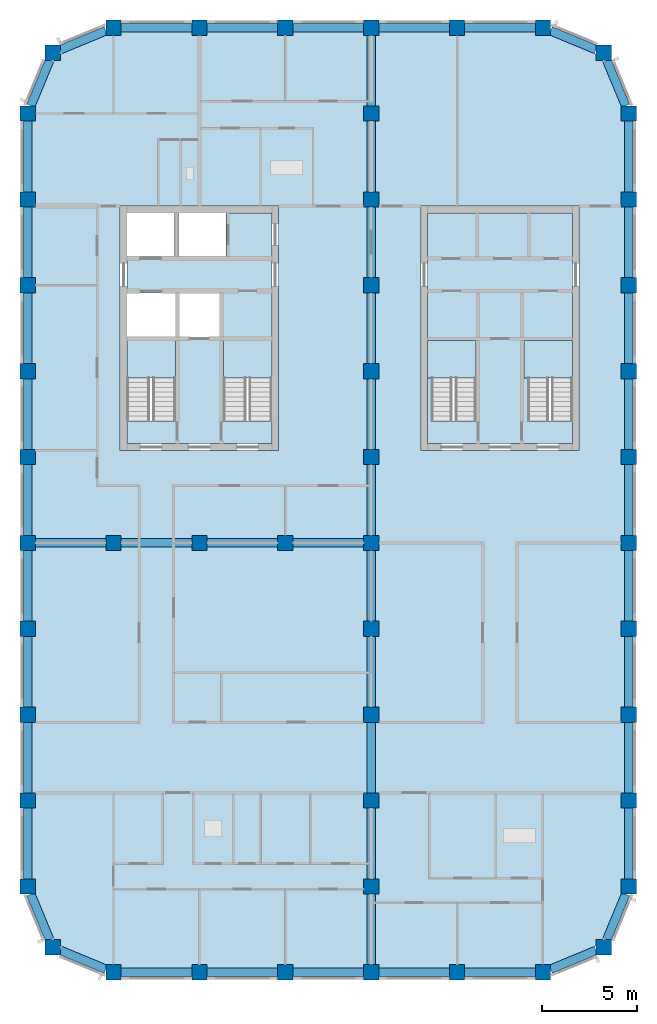
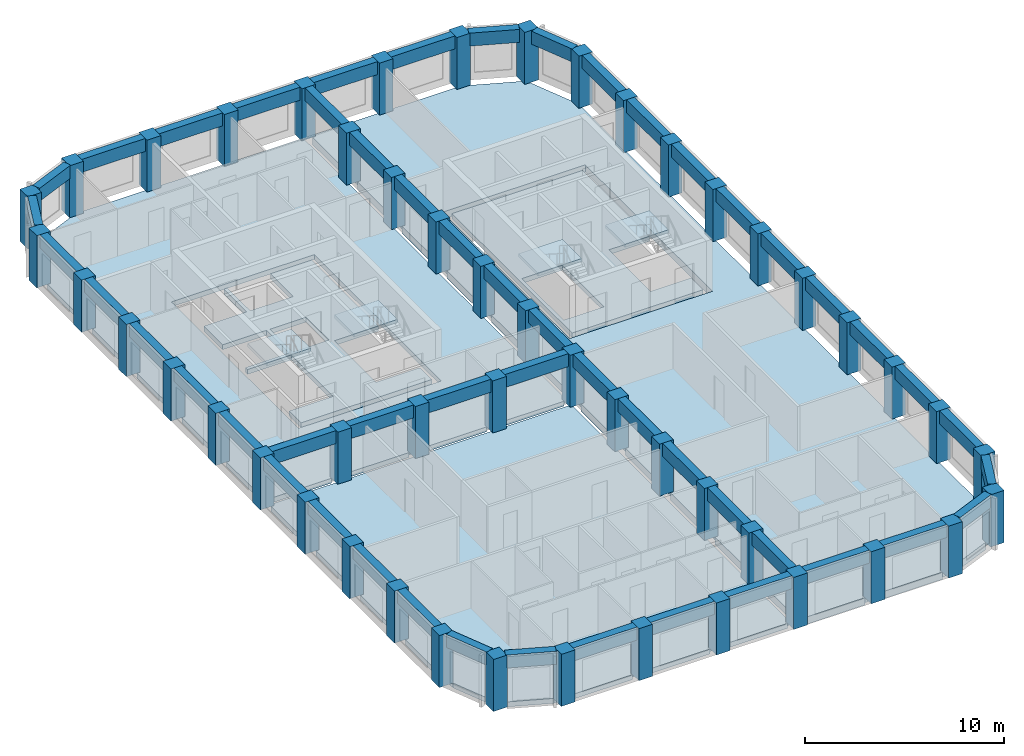
# One storey, part 1 of 10: 51 beams, 49 columns, 9 slabs, 4 elements without a shape of their own.
"""IFC4 building model written with IfcOpenShell, lengths in metres."""

from ifc_helpers import new_model, si_unit, direction, frame, origin, origin_2d, place, context, subcontext, project, spatial, polyline, rectangle, outline, extrude, material, layer, layer_set, material_profile, profile_set, type_object, element, aggregate, save


model = new_model("IFC4")

# Units and contexts
model_context = context("Model", 3, precision=1e-05, world=origin(), true_north=direction((0.0, 1.0)))
body_context = subcontext(model_context, "Body", "Model", "MODEL_VIEW")
ifc_project = project(units=[si_unit("LENGTHUNIT", "METRE"), si_unit("AREAUNIT", "SQUARE_METRE"), si_unit("VOLUMEUNIT", "CUBIC_METRE"), si_unit("PLANEANGLEUNIT", "RADIAN"), si_unit("MASSUNIT", "GRAM", prefix="KILO")], contexts=[model_context])

# Site, building, storey
site_placement = place(None, origin())
site = spatial("IfcSite", under=ifc_project, at=site_placement, CompositionType="ELEMENT")
building_placement = place(site_placement, origin())
building = spatial("IfcBuilding", under=site, at=building_placement, Name="Girih Gate Residences", CompositionType="ELEMENT")
storey_placement = place(building_placement, frame((0.0, 0.0, 195.5)))
storey = spatial("IfcBuildingStorey", under=building, at=storey_placement, Name="L54", CompositionType="ELEMENT", Elevation=195.5)

# Columns
ifc_material_1 = material(Name="Concrete C60/75", Category="concrete")
ifc_material_profile_1 = material_profile(ifc_material_1, rectangle(XDim=0.800048828125, YDim=0.800048828125, at=origin_2d()))
ifc_profile_set_1 = profile_set([ifc_material_profile_1], Name="Concrete C60/75")
column_type = type_object("IfcColumnType", Name="Pier RC 800x800 Concrete C60/75", PredefinedType="COLUMN", material=ifc_profile_set_1)
for number, where, z_axis, x_axis, name in (
    (1, (4.5, 0.0, 0.0), (0.0, 0.0, 1.0), (1.0, 0.0, 0.0), "Pier P2A L54"),
    (2, (9.0, 0.0, 0.0), (0.0, 0.0, 1.0), (1.0, 0.0, 0.0), "Pier P3A L54"),
    (3, (13.5, 0.0, 0.0), (0.0, 0.0, 1.0), (1.0, 0.0, 0.0), "Pier P4A L54"),
    (4, (18.0, 0.0, 0.0), (0.0, 0.0, 1.0), (1.0, 0.0, 0.0), "Pier P5A L54"),
    (5, (22.5, 0.0, 0.0), (0.0, 0.0, 1.0), (1.0, 0.0, 0.0), "Pier P6A L54"),
    (6, (27.0, 0.0, 0.0), (0.0, 0.0, 1.0), (1.0, 0.0, 0.0), "Pier P7A L54"),
    (7, (1.318115234375, 1.318115234375, 0.0), (0.0, 0.0, 1.0), (1.0, 0.0, 0.0), "Pier P1ANE L54"),
    (8, (30.181884765625, 1.318115234375, 0.0), (0.0, 0.0, 1.0), (1.0, 0.0, 0.0), "Pier P8ANW L54"),
    (9, (0.0, 4.5, 0.0), (0.0, 0.0, 1.0), (1.0, 0.0, 0.0), "Pier P1B L54"),
    (10, (18.0, 4.5, 0.0), (0.0, 0.0, 1.0), (1.0, 0.0, 0.0), "Pier P5B L54"),
    (11, (31.5, 4.5, 0.0), (0.0, 0.0, 1.0), (1.0, 0.0, 0.0), "Pier P8B L54"),
    (12, (0.0, 9.0, 0.0), (0.0, 0.0, 1.0), (1.0, 0.0, 0.0), "Pier P1C L54"),
    (13, (18.0, 9.0, 0.0), (0.0, 0.0, 1.0), (1.0, 0.0, 0.0), "Pier P5C L54"),
    (14, (31.5, 9.0, 0.0), (0.0, 0.0, 1.0), (1.0, 0.0, 0.0), "Pier P8C L54"),
    (15, (0.0, 13.5, 0.0), (0.0, 0.0, 1.0), (1.0, 0.0, 0.0), "Pier P1D L54"),
    (16, (18.0, 13.5, 0.0), (0.0, 0.0, 1.0), (1.0, 0.0, 0.0), "Pier P5D L54"),
    (17, (31.5, 13.5, 0.0), (0.0, 0.0, 1.0), (1.0, 0.0, 0.0), "Pier P8D L54"),
    (18, (0.0, 18.0, 0.0), (0.0, 0.0, 1.0), (1.0, 0.0, 0.0), "Pier P1E L54"),
    (19, (18.0, 18.0, 0.0), (0.0, 0.0, 1.0), (1.0, 0.0, 0.0), "Pier P5E L54"),
    (20, (31.5, 18.0, 0.0), (0.0, 0.0, 1.0), (1.0, 0.0, 0.0), "Pier P8E L54"),
    (21, (0.0, 22.5, 0.0), (0.0, 0.0, 1.0), (1.0, 0.0, 0.0), "Pier P1F L54"),
    (22, (4.5, 22.5, 0.0), (0.0, 0.0, 1.0), (1.0, 0.0, 0.0), "Pier P2F L54"),
    (23, (9.0, 22.5, 0.0), (0.0, 0.0, 1.0), (1.0, 0.0, 0.0), "Pier P3F L54"),
    (24, (13.5, 22.5, 0.0), (0.0, 0.0, 1.0), (1.0, 0.0, 0.0), "Pier P4F L54"),
    (25, (18.0, 22.5, 0.0), (0.0, 0.0, 1.0), (1.0, 0.0, 0.0), "Pier P5F L54"),
    (26, (31.5, 22.5, 0.0), (0.0, 0.0, 1.0), (1.0, 0.0, 0.0), "Pier P8F L54"),
    (27, (0.0, 27.0, 0.0), (0.0, 0.0, 1.0), (1.0, 0.0, 0.0), "Pier P1G L54"),
    (28, (18.0, 27.0, 0.0), (0.0, 0.0, 1.0), (1.0, 0.0, 0.0), "Pier P5G L54"),
    (29, (31.5, 27.0, 0.0), (0.0, 0.0, 1.0), (1.0, 0.0, 0.0), "Pier P8G L54"),
    (30, (0.0, 31.5, 0.0), (0.0, 0.0, 1.0), (1.0, 0.0, 0.0), "Pier P1H L54"),
    (31, (18.0, 31.5, 0.0), (0.0, 0.0, 1.0), (1.0, 0.0, 0.0), "Pier P5H L54"),
    (32, (31.5, 31.5, 0.0), (0.0, 0.0, 1.0), (1.0, 0.0, 0.0), "Pier P8H L54"),
    (33, (0.0, 36.0, 0.0), (0.0, 0.0, 1.0), (1.0, 0.0, 0.0), "Pier P1I L54"),
    (34, (18.0, 36.0, 0.0), (0.0, 0.0, 1.0), (1.0, 0.0, 0.0), "Pier P5I L54"),
    (35, (31.5, 36.0, 0.0), (0.0, 0.0, 1.0), (1.0, 0.0, 0.0), "Pier P8I L54"),
    (36, (0.0, 40.5, 0.0), (0.0, 0.0, 1.0), (1.0, 0.0, 0.0), "Pier P1J L54"),
    (37, (18.0, 40.5, 0.0), (0.0, 0.0, 1.0), (1.0, 0.0, 0.0), "Pier P5J L54"),
    (38, (31.5, 40.5, 0.0), (0.0, 0.0, 1.0), (1.0, 0.0, 0.0), "Pier P8J L54"),
    (39, (0.0, 45.0, 0.0), (0.0, 0.0, 1.0), (1.0, 0.0, 0.0), "Pier P1K L54"),
    (40, (18.0, 45.0, 0.0), (0.0, 0.0, 1.0), (1.0, 0.0, 0.0), "Pier P5K L54"),
    (41, (31.5, 45.0, 0.0), (0.0, 0.0, 1.0), (1.0, 0.0, 0.0), "Pier P8K L54"),
    (42, (1.318115234375, 48.181884765625, 0.0), (0.0, 0.0, 1.0), (1.0, 0.0, 0.0), "Pier P1LSE L54"),
    (43, (30.181884765625, 48.181884765625, 0.0), (0.0, 0.0, 1.0), (1.0, 0.0, 0.0), "Pier P8LSW L54"),
    (44, (4.5, 49.5, 0.0), (0.0, 0.0, 1.0), (1.0, 0.0, 0.0), "Pier P2L L54"),
    (45, (9.0, 49.5, 0.0), (0.0, 0.0, 1.0), (1.0, 0.0, 0.0), "Pier P3L L54"),
    (46, (13.5, 49.5, 0.0), (0.0, 0.0, 1.0), (1.0, 0.0, 0.0), "Pier P4L L54"),
    (47, (18.0, 49.5, 0.0), (0.0, 0.0, 1.0), (1.0, 0.0, 0.0), "Pier P5L L54"),
    (48, (22.5, 49.5, 0.0), (0.0, 0.0, 1.0), (1.0, 0.0, 0.0), "Pier P6L L54"),
    (49, (27.0, 49.5, 0.0), (0.0, 0.0, 1.0), (1.0, 0.0, 0.0), "Pier P7L L54"),
):
    element("IfcColumn", number, at=place(storey_placement, frame(where, z_axis=z_axis, x_axis=x_axis)), inside=storey, type_object=column_type, Name=name, PredefinedType="COLUMN", context=body_context, shape_type="SweptSolid", body=[
        extrude(rectangle(XDim=0.800048828125, YDim=0.800048828125, at=origin_2d()), origin(), (0.0, 0.0, 1.0), 3.199951171875),
    ])

# Beams
ifc_material_profile_2 = material_profile(ifc_material_1, rectangle(XDim=0.449951171875, YDim=0.800048828125, at=origin_2d()))
ifc_profile_set_2 = profile_set([ifc_material_profile_2], Name="Concrete C60/75")
beam_type = type_object("IfcBeamType", Name="Spandrel girder RC 450x800 Concrete C60/75", PredefinedType="BEAM", material=ifc_profile_set_2)
for number, where, z_axis, x_axis, name in (
    (50, (27.39990234375, 0.165771484375, 2.800048828125), (0.923895659062, 0.382644497107, 0.0), (-0.382644497107, 0.923895659062, 0.0), "Spandrel girder SP-P7A-P8ANW L54"),
    (51, (30.34765625, 1.718017578125, 2.800048828125), (0.382644497107, 0.923895659062, 0.0), (-0.923895659062, 0.382644497107, 0.0), "Spandrel girder SP-P8ANW-P8B L54"),
):
    element("IfcBeam", number, at=place(storey_placement, frame(where, z_axis=z_axis, x_axis=x_axis)), inside=storey, type_object=beam_type, Name=name, PredefinedType="BEAM", context=body_context, shape_type="SweptSolid", body=[
        extrude(rectangle(XDim=0.449951171875, YDim=0.800048828125, at=origin_2d()), origin(), (0.0, 0.0, 1.0), 2.578369140625),
    ])
for number, where, z_axis, x_axis, name in (
    (52, (31.5, 4.89990234375, 2.800048828125), (0.0, 1.0, 0.0), (-1.0, 0.0, 0.0), "Spandrel girder SP-P8B-P8C L54"),
    (53, (31.5, 9.39990234375, 2.800048828125), (0.0, 1.0, 0.0), (-1.0, 0.0, 0.0), "Spandrel girder SP-P8C-P8D L54"),
    (54, (31.5, 13.89990234375, 2.800048828125), (0.0, 1.0, 0.0), (-1.0, 0.0, 0.0), "Spandrel girder SP-P8D-P8E L54"),
    (55, (31.5, 18.39990234375, 2.800048828125), (0.0, 1.0, 0.0), (-1.0, 0.0, 0.0), "Spandrel girder SP-P8E-P8F L54"),
    (56, (31.5, 22.89990234375, 2.800048828125), (0.0, 1.0, 0.0), (-1.0, 0.0, 0.0), "Spandrel girder SP-P8F-P8G L54"),
    (57, (31.5, 27.39990234375, 2.800048828125), (0.0, 1.0, 0.0), (-1.0, 0.0, 0.0), "Spandrel girder SP-P8G-P8H L54"),
    (58, (31.5, 31.89990234375, 2.800048828125), (0.0, 1.0, 0.0), (-1.0, 0.0, 0.0), "Spandrel girder SP-P8H-P8I L54"),
    (59, (31.5, 36.39990234375, 2.800048828125), (0.0, 1.0, 0.0), (-1.0, 0.0, 0.0), "Spandrel girder SP-P8I-P8J L54"),
    (60, (31.5, 40.89990234375, 2.800048828125), (0.0, 1.0, 0.0), (-1.0, 0.0, 0.0), "Spandrel girder SP-P8J-P8K L54"),
):
    element("IfcBeam", number, at=place(storey_placement, frame(where, z_axis=z_axis, x_axis=x_axis)), inside=storey, type_object=beam_type, Name=name, PredefinedType="BEAM", context=body_context, shape_type="SweptSolid", body=[
        extrude(rectangle(XDim=0.449951171875, YDim=0.800048828125, at=origin_2d()), origin(), (0.0, 0.0, 1.0), 3.7001953125),
    ])
for number, where, z_axis, x_axis, name in (
    (61, (31.334228515625, 45.39990234375, 2.800048828125), (-0.382644497107, 0.923895659062, 0.0), (-0.923895659062, -0.382644497107, 0.0), "Spandrel girder SP-P8K-P8LSW L54"),
    (62, (29.781982421875, 48.34765625, 2.800048828125), (-0.923895659062, 0.382644497107, 0.0), (-0.382644497107, -0.923895659062, 0.0), "Spandrel girder SP-P8LSW-P7L L54"),
):
    element("IfcBeam", number, at=place(storey_placement, frame(where, z_axis=z_axis, x_axis=x_axis)), inside=storey, type_object=beam_type, Name=name, PredefinedType="BEAM", context=body_context, shape_type="SweptSolid", body=[
        extrude(rectangle(XDim=0.449951171875, YDim=0.800048828125, at=origin_2d()), origin(), (0.0, 0.0, 1.0), 2.578369140625),
    ])
for number, where, z_axis, x_axis, name in (
    (63, (26.60009765625, 49.5, 2.800048828125), (-1.0, 0.0, 0.0), (0.0, -1.0, 0.0), "Spandrel girder SP-P7L-P6L L54"),
    (64, (22.10009765625, 49.5, 2.800048828125), (-1.0, 0.0, 0.0), (0.0, -1.0, 0.0), "Spandrel girder SP-P6L-P5L L54"),
    (65, (17.60009765625, 49.5, 2.800048828125), (-1.0, 0.0, 0.0), (0.0, -1.0, 0.0), "Spandrel girder SP-P5L-P4L L54"),
    (66, (13.10009765625, 49.5, 2.800048828125), (-1.0, 0.0, 0.0), (0.0, -1.0, 0.0), "Spandrel girder SP-P4L-P3L L54"),
    (67, (8.60009765625, 49.5, 2.800048828125), (-1.0, 0.0, 0.0), (0.0, -1.0, 0.0), "Spandrel girder SP-P3L-P2L L54"),
):
    element("IfcBeam", number, at=place(storey_placement, frame(where, z_axis=z_axis, x_axis=x_axis)), inside=storey, type_object=beam_type, Name=name, PredefinedType="BEAM", context=body_context, shape_type="SweptSolid", body=[
        extrude(rectangle(XDim=0.449951171875, YDim=0.800048828125, at=origin_2d()), origin(), (0.0, 0.0, 1.0), 3.7001953125),
    ])
for number, where, z_axis, x_axis, name in (
    (68, (4.10009765625, 49.334228515625, 2.800048828125), (-0.923895659062, -0.382644497107, 0.0), (0.382644497107, -0.923895659062, 0.0), "Spandrel girder SP-P2L-P1LSE L54"),
    (69, (1.15234375, 47.781982421875, 2.800048828125), (-0.382644497107, -0.923895659062, 0.0), (0.923895659062, -0.382644497107, 0.0), "Spandrel girder SP-P1LSE-P1K L54"),
):
    element("IfcBeam", number, at=place(storey_placement, frame(where, z_axis=z_axis, x_axis=x_axis)), inside=storey, type_object=beam_type, Name=name, PredefinedType="BEAM", context=body_context, shape_type="SweptSolid", body=[
        extrude(rectangle(XDim=0.449951171875, YDim=0.800048828125, at=origin_2d()), origin(), (0.0, 0.0, 1.0), 2.578369140625),
    ])
for number, where, z_axis, x_axis, name in (
    (70, (0.0, 44.60009765625, 2.800048828125), (0.0, -1.0, 0.0), (1.0, 0.0, 0.0), "Spandrel girder SP-P1K-P1J L54"),
    (71, (0.0, 40.10009765625, 2.800048828125), (0.0, -1.0, 0.0), (1.0, 0.0, 0.0), "Spandrel girder SP-P1J-P1I L54"),
    (72, (0.0, 35.60009765625, 2.800048828125), (0.0, -1.0, 0.0), (1.0, 0.0, 0.0), "Spandrel girder SP-P1I-P1H L54"),
    (73, (0.0, 31.10009765625, 2.800048828125), (0.0, -1.0, 0.0), (1.0, 0.0, 0.0), "Spandrel girder SP-P1H-P1G L54"),
    (74, (0.0, 26.60009765625, 2.800048828125), (0.0, -1.0, 0.0), (1.0, 0.0, 0.0), "Spandrel girder SP-P1G-P1F L54"),
    (75, (0.0, 22.10009765625, 2.800048828125), (0.0, -1.0, 0.0), (1.0, 0.0, 0.0), "Spandrel girder SP-P1F-P1E L54"),
    (76, (0.0, 17.60009765625, 2.800048828125), (0.0, -1.0, 0.0), (1.0, 0.0, 0.0), "Spandrel girder SP-P1E-P1D L54"),
    (77, (0.0, 13.10009765625, 2.800048828125), (0.0, -1.0, 0.0), (1.0, 0.0, 0.0), "Spandrel girder SP-P1D-P1C L54"),
    (78, (0.0, 8.60009765625, 2.800048828125), (0.0, -1.0, 0.0), (1.0, 0.0, 0.0), "Spandrel girder SP-P1C-P1B L54"),
):
    element("IfcBeam", number, at=place(storey_placement, frame(where, z_axis=z_axis, x_axis=x_axis)), inside=storey, type_object=beam_type, Name=name, PredefinedType="BEAM", context=body_context, shape_type="SweptSolid", body=[
        extrude(rectangle(XDim=0.449951171875, YDim=0.800048828125, at=origin_2d()), origin(), (0.0, 0.0, 1.0), 3.7001953125),
    ])
for number, where, z_axis, x_axis, name in (
    (79, (0.165771484375, 4.10009765625, 2.800048828125), (0.382644497107, -0.923895659062, 0.0), (0.923895659062, 0.382644497107, 0.0), "Spandrel girder SP-P1B-P1ANE L54"),
    (80, (1.718017578125, 1.15234375, 2.800048828125), (0.923895659062, -0.382644497107, 0.0), (0.382644497107, 0.923895659062, 0.0), "Spandrel girder SP-P1ANE-P2A L54"),
):
    element("IfcBeam", number, at=place(storey_placement, frame(where, z_axis=z_axis, x_axis=x_axis)), inside=storey, type_object=beam_type, Name=name, PredefinedType="BEAM", context=body_context, shape_type="SweptSolid", body=[
        extrude(rectangle(XDim=0.449951171875, YDim=0.800048828125, at=origin_2d()), origin(), (0.0, 0.0, 1.0), 2.578369140625),
    ])
for number, where, z_axis, x_axis, name in (
    (81, (4.89990234375, 0.0, 2.800048828125), (1.0, 0.0, 0.0), (0.0, 1.0, 0.0), "Spandrel girder SP-P2A-P3A L54"),
    (82, (9.39990234375, 0.0, 2.800048828125), (1.0, 0.0, 0.0), (0.0, 1.0, 0.0), "Spandrel girder SP-P3A-P4A L54"),
    (83, (13.89990234375, 0.0, 2.800048828125), (1.0, 0.0, 0.0), (0.0, 1.0, 0.0), "Spandrel girder SP-P4A-P5A L54"),
    (84, (18.39990234375, 0.0, 2.800048828125), (1.0, 0.0, 0.0), (0.0, 1.0, 0.0), "Spandrel girder SP-P5A-P6A L54"),
    (85, (22.89990234375, 0.0, 2.800048828125), (1.0, 0.0, 0.0), (0.0, 1.0, 0.0), "Spandrel girder SP-P6A-P7A L54"),
    (86, (18.0, 0.39990234375, 2.800048828125), (0.0, 1.0, 0.0), (-1.0, 0.0, 0.0), "Spandrel girder SP-P5A-P5B L54"),
    (87, (18.0, 4.89990234375, 2.800048828125), (0.0, 1.0, 0.0), (-1.0, 0.0, 0.0), "Spandrel girder SP-P5B-P5C L54"),
    (88, (18.0, 9.39990234375, 2.800048828125), (0.0, 1.0, 0.0), (-1.0, 0.0, 0.0), "Spandrel girder SP-P5C-P5D L54"),
    (89, (18.0, 13.89990234375, 2.800048828125), (0.0, 1.0, 0.0), (-1.0, 0.0, 0.0), "Spandrel girder SP-P5D-P5E L54"),
    (90, (18.0, 18.39990234375, 2.800048828125), (0.0, 1.0, 0.0), (-1.0, 0.0, 0.0), "Spandrel girder SP-P5E-P5F L54"),
    (91, (18.0, 22.89990234375, 2.800048828125), (0.0, 1.0, 0.0), (-1.0, 0.0, 0.0), "Spandrel girder SP-P5F-P5G L54"),
    (92, (18.0, 27.39990234375, 2.800048828125), (0.0, 1.0, 0.0), (-1.0, 0.0, 0.0), "Spandrel girder SP-P5G-P5H L54"),
    (93, (18.0, 31.89990234375, 2.800048828125), (0.0, 1.0, 0.0), (-1.0, 0.0, 0.0), "Spandrel girder SP-P5H-P5I L54"),
    (94, (18.0, 36.39990234375, 2.800048828125), (0.0, 1.0, 0.0), (-1.0, 0.0, 0.0), "Spandrel girder SP-P5I-P5J L54"),
    (95, (18.0, 40.89990234375, 2.800048828125), (0.0, 1.0, 0.0), (-1.0, 0.0, 0.0), "Spandrel girder SP-P5J-P5K L54"),
    (96, (18.0, 45.39990234375, 2.800048828125), (0.0, 1.0, 0.0), (-1.0, 0.0, 0.0), "Spandrel girder SP-P5K-P5L L54"),
    (97, (0.39990234375, 22.5, 2.800048828125), (1.0, 0.0, 0.0), (0.0, 1.0, 0.0), "Spandrel girder SP-P1F-P2F L54"),
    (98, (4.89990234375, 22.5, 2.800048828125), (1.0, 0.0, 0.0), (0.0, 1.0, 0.0), "Spandrel girder SP-P2F-P3F L54"),
    (99, (9.39990234375, 22.5, 2.800048828125), (1.0, 0.0, 0.0), (0.0, 1.0, 0.0), "Spandrel girder SP-P3F-P4F L54"),
    (100, (13.89990234375, 22.5, 2.800048828125), (1.0, 0.0, 0.0), (0.0, 1.0, 0.0), "Spandrel girder SP-P4F-P5F L54"),
):
    element("IfcBeam", number, at=place(storey_placement, frame(where, z_axis=z_axis, x_axis=x_axis)), inside=storey, type_object=beam_type, Name=name, PredefinedType="BEAM", context=body_context, shape_type="SweptSolid", body=[
        extrude(rectangle(XDim=0.449951171875, YDim=0.800048828125, at=origin_2d()), origin(), (0.0, 0.0, 1.0), 3.7001953125),
    ])

# Slabs
ifc_material_2 = material(Name="Concrete C40/50", Category="concrete")
ifc_layer_1 = layer(ifc_material_2, 0.300048828125)
ifc_layer_set_1 = layer_set([ifc_layer_1], Name="Core floor slab 300")
slab_type_1 = type_object("IfcSlabType", Name="Core floor slab 300", PredefinedType="FLOOR", material=ifc_layer_set_1)
slab_1_placement = place(storey_placement, frame((0.0, 0.0, -0.300048828125)))
element("IfcSlab", 101, at=slab_1_placement, inside=storey, type_object=slab_type_1, Name="L54 W core floor", PredefinedType="FLOOR", context=body_context, shape_type="SweptSolid", body=[
    extrude(outline(polyline([(12.800048828125, 27.699951171875), (5.199951171875, 27.699951171875), (5.199951171875, 28.900634765625), (7.75, 28.900634765625), (7.75, 33.10009765625), (5.199951171875, 33.10009765625), (5.199951171875, 33.300048828125), (7.75, 33.300048828125), (7.75, 35.60009765625), (5.199951171875, 35.60009765625), (5.199951171875, 37.5), (7.699951171875, 37.5), (7.699951171875, 39.800048828125), (7.89990234375, 39.800048828125), (7.89990234375, 37.5), (10.39990234375, 37.5), (10.39990234375, 39.800048828125), (12.800048828125, 39.800048828125), (12.800048828125, 33.10009765625), (10.25, 33.10009765625), (10.25, 28.900634765625), (12.800048828125, 28.900634765625), (12.800048828125, 27.699951171875)]), holes=[polyline([(7.949951171875, 33.300048828125), (10.050048828125, 33.300048828125), (10.050048828125, 35.60009765625), (7.949951171875, 35.60009765625), (7.949951171875, 33.300048828125)])]), origin(), (0.0, 0.0, 1.0), 0.300048828125),
])
slab_2_placement = place(storey_placement, frame((0.0, 0.0, -0.300048828125)))
element("IfcSlab", 102, at=slab_2_placement, inside=storey, type_object=slab_type_1, Name="L54 C core floor", PredefinedType="FLOOR", context=body_context, shape_type="SweptSolid", body=[
    extrude(outline(polyline([(28.550048828125, 27.699951171875), (20.949951171875, 27.699951171875), (20.949951171875, 39.800048828125), (28.550048828125, 39.800048828125), (28.550048828125, 33.10009765625), (26.199951171875, 33.10009765625), (26.199951171875, 28.900634765625), (28.550048828125, 28.900634765625), (28.550048828125, 27.699951171875)]), holes=[polyline([(23.5, 28.900634765625), (23.5, 33.10009765625), (21.14990234375, 33.10009765625), (21.14990234375, 28.900634765625), (23.5, 28.900634765625)])]), origin(), (0.0, 0.0, 1.0), 0.300048828125),
])
ifc_layer_2 = layer(ifc_material_2, 0.300048828125)
ifc_layer_set_2 = layer_set([ifc_layer_2], Name="Floor slab PT 300 Concrete C40/50")
slab_type_2 = type_object("IfcSlabType", Name="Floor slab PT 300 Concrete C40/50", PredefinedType="FLOOR", material=ifc_layer_set_2)
slab_3_placement = place(storey_placement, frame((0.0, 0.0, -0.300048828125)))
element("IfcSlab", 103, at=slab_3_placement, inside=storey, type_object=slab_type_2, Name="Floor slab L54 0", PredefinedType="FLOOR", context=body_context, shape_type="SweptSolid", body=[
    extrude(outline(polyline([(13.89990234375, 0.22509765625), (17.60009765625, 0.22509765625), (17.60009765625, 0.39990234375), (17.77490234375, 0.39990234375), (17.77490234375, 4.10009765625), (17.60009765625, 4.10009765625), (17.60009765625, 4.89990234375), (17.77490234375, 4.89990234375), (17.77490234375, 8.60009765625), (17.60009765625, 8.60009765625), (17.60009765625, 9.39990234375), (17.77490234375, 9.39990234375), (17.77490234375, 13.10009765625), (17.60009765625, 13.10009765625), (17.60009765625, 13.89990234375), (17.77490234375, 13.89990234375), (17.77490234375, 17.60009765625), (17.60009765625, 17.60009765625), (17.60009765625, 18.39990234375), (17.77490234375, 18.39990234375), (17.77490234375, 22.10009765625), (17.60009765625, 22.10009765625), (17.60009765625, 22.27490234375), (13.89990234375, 22.27490234375), (13.89990234375, 22.10009765625), (13.10009765625, 22.10009765625), (13.10009765625, 22.27490234375), (9.39990234375, 22.27490234375), (9.39990234375, 22.10009765625), (8.60009765625, 22.10009765625), (8.60009765625, 22.27490234375), (4.89990234375, 22.27490234375), (4.89990234375, 22.10009765625), (4.10009765625, 22.10009765625), (4.10009765625, 22.27490234375), (0.39990234375, 22.27490234375), (0.39990234375, 22.10009765625), (0.22509765625, 22.10009765625), (0.22509765625, 18.39990234375), (0.39990234375, 18.39990234375), (0.39990234375, 17.60009765625), (0.22509765625, 17.60009765625), (0.22509765625, 13.89990234375), (0.39990234375, 13.89990234375), (0.39990234375, 13.10009765625), (0.22509765625, 13.10009765625), (0.22509765625, 9.39990234375), (0.39990234375, 9.39990234375), (0.39990234375, 8.60009765625), (0.22509765625, 8.60009765625), (0.22509765625, 4.89990234375), (0.39990234375, 4.89990234375), (0.39990234375, 4.122314453125), (1.395751953125, 1.718017578125), (1.718017578125, 1.718017578125), (1.718017578125, 1.395751953125), (4.122314453125, 0.39990234375), (4.89990234375, 0.39990234375), (4.89990234375, 0.22509765625), (8.60009765625, 0.22509765625), (8.60009765625, 0.39990234375), (9.39990234375, 0.39990234375), (9.39990234375, 0.22509765625), (13.10009765625, 0.22509765625), (13.10009765625, 0.39990234375), (13.89990234375, 0.39990234375), (13.89990234375, 0.22509765625)])), origin(), (0.0, 0.0, 1.0), 0.300048828125),
])
slab_4_placement = place(storey_placement, frame((0.0, 0.0, -0.300048828125)))
element("IfcSlab", 104, at=slab_4_placement, inside=storey, type_object=slab_type_2, Name="Floor slab L54 2", PredefinedType="FLOOR", context=body_context, shape_type="SweptSolid", body=[
    extrude(outline(polyline([(0.22509765625, 26.60009765625), (0.22509765625, 22.89990234375), (0.39990234375, 22.89990234375), (0.39990234375, 22.72509765625), (4.10009765625, 22.72509765625), (4.10009765625, 22.89990234375), (4.89990234375, 22.89990234375), (4.89990234375, 22.72509765625), (8.60009765625, 22.72509765625), (8.60009765625, 22.89990234375), (9.39990234375, 22.89990234375), (9.39990234375, 22.72509765625), (13.10009765625, 22.72509765625), (13.10009765625, 22.89990234375), (13.89990234375, 22.89990234375), (13.89990234375, 22.72509765625), (17.60009765625, 22.72509765625), (17.60009765625, 22.89990234375), (17.77490234375, 22.89990234375), (17.77490234375, 26.60009765625), (17.60009765625, 26.60009765625), (17.60009765625, 27.39990234375), (17.77490234375, 27.39990234375), (17.77490234375, 31.10009765625), (17.60009765625, 31.10009765625), (17.60009765625, 31.89990234375), (17.77490234375, 31.89990234375), (17.77490234375, 35.60009765625), (17.60009765625, 35.60009765625), (17.60009765625, 36.39990234375), (17.77490234375, 36.39990234375), (17.77490234375, 40.10009765625), (17.60009765625, 40.10009765625), (17.60009765625, 40.89990234375), (17.77490234375, 40.89990234375), (17.77490234375, 44.60009765625), (17.60009765625, 44.60009765625), (17.60009765625, 45.39990234375), (17.77490234375, 45.39990234375), (17.77490234375, 49.10009765625), (17.60009765625, 49.10009765625), (17.60009765625, 49.27490234375), (13.89990234375, 49.27490234375), (13.89990234375, 49.10009765625), (13.10009765625, 49.10009765625), (13.10009765625, 49.27490234375), (9.39990234375, 49.27490234375), (9.39990234375, 49.10009765625), (8.60009765625, 49.10009765625), (8.60009765625, 49.27490234375), (4.89990234375, 49.27490234375), (4.89990234375, 49.10009765625), (4.122314453125, 49.10009765625), (1.718017578125, 48.104248046875), (1.718017578125, 47.781982421875), (1.395751953125, 47.781982421875), (0.39990234375, 45.377685546875), (0.39990234375, 44.60009765625), (0.22509765625, 44.60009765625), (0.22509765625, 40.89990234375), (0.39990234375, 40.89990234375), (0.39990234375, 40.10009765625), (0.22509765625, 40.10009765625), (0.22509765625, 36.39990234375), (0.39990234375, 36.39990234375), (0.39990234375, 35.60009765625), (0.22509765625, 35.60009765625), (0.22509765625, 31.89990234375), (0.39990234375, 31.89990234375), (0.39990234375, 31.10009765625), (0.22509765625, 31.10009765625), (0.22509765625, 27.39990234375), (0.39990234375, 27.39990234375), (0.39990234375, 26.60009765625), (0.22509765625, 26.60009765625)]), holes=[polyline([(13.14990234375, 40.14990234375), (13.14990234375, 27.35009765625), (4.85009765625, 27.35009765625), (4.85009765625, 40.14990234375), (13.14990234375, 40.14990234375)])]), origin(), (0.0, 0.0, 1.0), 0.300048828125),
])
ifc_layer_3 = layer(ifc_material_2, 0.449951171875)
ifc_layer_set_3 = layer_set([ifc_layer_3], Name="Floor slab PT 450 Concrete C40/50")
slab_type_3 = type_object("IfcSlabType", Name="Floor slab PT 450 Concrete C40/50", PredefinedType="FLOOR", material=ifc_layer_set_3)
slab_5_placement = place(storey_placement, frame((0.0, 0.0, -0.449951171875)))
element("IfcSlab", 105, at=slab_5_placement, inside=storey, type_object=slab_type_3, Name="Floor slab L54 1", PredefinedType="FLOOR", context=body_context, shape_type="SweptSolid", body=[
    extrude(outline(polyline([(22.89990234375, 0.22509765625), (26.60009765625, 0.22509765625), (26.60009765625, 0.39990234375), (27.377685546875, 0.39990234375), (29.781982421875, 1.395751953125), (29.781982421875, 1.718017578125), (30.104248046875, 1.718017578125), (31.10009765625, 4.122314453125), (31.10009765625, 4.89990234375), (31.27490234375, 4.89990234375), (31.27490234375, 8.60009765625), (31.10009765625, 8.60009765625), (31.10009765625, 9.39990234375), (31.27490234375, 9.39990234375), (31.27490234375, 13.10009765625), (31.10009765625, 13.10009765625), (31.10009765625, 13.89990234375), (31.27490234375, 13.89990234375), (31.27490234375, 17.60009765625), (31.10009765625, 17.60009765625), (31.10009765625, 18.39990234375), (31.27490234375, 18.39990234375), (31.27490234375, 22.10009765625), (31.10009765625, 22.10009765625), (31.10009765625, 22.89990234375), (31.27490234375, 22.89990234375), (31.27490234375, 26.60009765625), (31.10009765625, 26.60009765625), (31.10009765625, 27.39990234375), (31.27490234375, 27.39990234375), (31.27490234375, 31.10009765625), (31.10009765625, 31.10009765625), (31.10009765625, 31.89990234375), (31.27490234375, 31.89990234375), (31.27490234375, 35.60009765625), (31.10009765625, 35.60009765625), (31.10009765625, 36.39990234375), (31.27490234375, 36.39990234375), (31.27490234375, 40.10009765625), (31.10009765625, 40.10009765625), (31.10009765625, 40.89990234375), (31.27490234375, 40.89990234375), (31.27490234375, 44.60009765625), (31.10009765625, 44.60009765625), (31.10009765625, 45.377685546875), (30.104248046875, 47.781982421875), (29.781982421875, 47.781982421875), (29.781982421875, 48.104248046875), (27.377685546875, 49.10009765625), (26.60009765625, 49.10009765625), (26.60009765625, 49.27490234375), (22.89990234375, 49.27490234375), (22.89990234375, 49.10009765625), (22.10009765625, 49.10009765625), (22.10009765625, 49.27490234375), (18.39990234375, 49.27490234375), (18.39990234375, 49.10009765625), (18.22509765625, 49.10009765625), (18.22509765625, 45.39990234375), (18.39990234375, 45.39990234375), (18.39990234375, 44.60009765625), (18.22509765625, 44.60009765625), (18.22509765625, 40.89990234375), (18.39990234375, 40.89990234375), (18.39990234375, 40.10009765625), (18.22509765625, 40.10009765625), (18.22509765625, 36.39990234375), (18.39990234375, 36.39990234375), (18.39990234375, 35.60009765625), (18.22509765625, 35.60009765625), (18.22509765625, 31.89990234375), (18.39990234375, 31.89990234375), (18.39990234375, 31.10009765625), (18.22509765625, 31.10009765625), (18.22509765625, 27.39990234375), (18.39990234375, 27.39990234375), (18.39990234375, 26.60009765625), (18.22509765625, 26.60009765625), (18.22509765625, 22.89990234375), (18.39990234375, 22.89990234375), (18.39990234375, 22.10009765625), (18.22509765625, 22.10009765625), (18.22509765625, 18.39990234375), (18.39990234375, 18.39990234375), (18.39990234375, 17.60009765625), (18.22509765625, 17.60009765625), (18.22509765625, 13.89990234375), (18.39990234375, 13.89990234375), (18.39990234375, 13.10009765625), (18.22509765625, 13.10009765625), (18.22509765625, 9.39990234375), (18.39990234375, 9.39990234375), (18.39990234375, 8.60009765625), (18.22509765625, 8.60009765625), (18.22509765625, 4.89990234375), (18.39990234375, 4.89990234375), (18.39990234375, 4.10009765625), (18.22509765625, 4.10009765625), (18.22509765625, 0.39990234375), (18.39990234375, 0.39990234375), (18.39990234375, 0.22509765625), (22.10009765625, 0.22509765625), (22.10009765625, 0.39990234375), (22.89990234375, 0.39990234375), (22.89990234375, 0.22509765625)]), holes=[polyline([(28.89990234375, 40.14990234375), (28.89990234375, 27.35009765625), (20.60009765625, 27.35009765625), (20.60009765625, 40.14990234375), (28.89990234375, 40.14990234375)])]), origin(), (0.0, 0.0, 1.0), 0.449951171875),
])

# Stair, slab
stair_type_1 = type_object("IfcStairType", Name="Exit stair", PredefinedType="HALF_TURN_STAIR", material=ifc_material_2)
stair_1_placement = place(storey_placement, origin())
stair_1 = element("IfcStair", 106, at=stair_1_placement, inside=storey, type_object=stair_type_1, Name="L54 Exit Stair ST-W1", PredefinedType="HALF_TURN_STAIR")
ifc_layer_4 = layer(ifc_material_2, 0.199951171875)
ifc_layer_set_4 = layer_set([ifc_layer_4], Name="Stair landing 200")
slab_type_4 = type_object("IfcSlabType", Name="Stair landing 200", PredefinedType="LANDING", material=ifc_layer_set_4)
slab_6_placement = place(storey_placement, frame((0.0, 0.0, 1.39990234375)))
slab_6 = element("IfcSlab", 107, at=slab_6_placement, type_object=slab_type_4, Name="ST-W1 landing 1", PredefinedType="LANDING", context=body_context, shape_type="SweptSolid", body=[
    extrude(outline(polyline([(7.75, 31.14990234375), (7.75, 33.10009765625), (5.199951171875, 33.10009765625), (5.199951171875, 31.14990234375), (7.75, 31.14990234375)])), origin(), (0.0, 0.0, 1.0), 0.2001953125),
])
aggregate(stair_1, [slab_6])

stair_2_placement = place(storey_placement, origin())
stair_2 = element("IfcStair", 108, at=stair_2_placement, inside=storey, type_object=stair_type_1, Name="L54 Exit Stair ST-W2", PredefinedType="HALF_TURN_STAIR")
slab_7_placement = place(storey_placement, frame((0.0, 0.0, 1.39990234375)))
slab_7 = element("IfcSlab", 109, at=slab_7_placement, type_object=slab_type_4, Name="ST-W2 landing 1", PredefinedType="LANDING", context=body_context, shape_type="SweptSolid", body=[
    extrude(outline(polyline([(12.800048828125, 31.14990234375), (12.800048828125, 33.10009765625), (10.25, 33.10009765625), (10.25, 31.14990234375), (12.800048828125, 31.14990234375)])), origin(), (0.0, 0.0, 1.0), 0.2001953125),
])
aggregate(stair_2, [slab_7])

stair_type_2 = type_object("IfcStairType", Name="Exit stair C core", PredefinedType="HALF_TURN_STAIR", material=ifc_material_2)
stair_3_placement = place(storey_placement, origin())
stair_3 = element("IfcStair", 110, at=stair_3_placement, inside=storey, type_object=stair_type_2, Name="L54 Exit Stair ST-C1", PredefinedType="HALF_TURN_STAIR")
slab_8_placement = place(storey_placement, frame((0.0, 0.0, 1.39990234375)))
slab_8 = element("IfcSlab", 111, at=slab_8_placement, type_object=slab_type_4, Name="ST-C1 landing 1", PredefinedType="LANDING", context=body_context, shape_type="SweptSolid", body=[
    extrude(outline(polyline([(23.5, 31.14990234375), (23.5, 33.10009765625), (20.949951171875, 33.10009765625), (20.949951171875, 31.14990234375), (23.5, 31.14990234375)])), origin(), (0.0, 0.0, 1.0), 0.2001953125),
])
aggregate(stair_3, [slab_8])

stair_4_placement = place(storey_placement, origin())
stair_4 = element("IfcStair", 112, at=stair_4_placement, inside=storey, type_object=stair_type_2, Name="L54 Exit Stair ST-C2", PredefinedType="HALF_TURN_STAIR")
slab_9_placement = place(storey_placement, frame((0.0, 0.0, 1.39990234375)))
slab_9 = element("IfcSlab", 113, at=slab_9_placement, type_object=slab_type_4, Name="ST-C2 landing 1", PredefinedType="LANDING", context=body_context, shape_type="SweptSolid", body=[
    extrude(outline(polyline([(28.550048828125, 31.14990234375), (28.550048828125, 33.10009765625), (26.0, 33.10009765625), (26.0, 31.14990234375), (28.550048828125, 31.14990234375)])), origin(), (0.0, 0.0, 1.0), 0.2001953125),
])
aggregate(stair_4, [slab_9])

save(model, "model.ifc")
